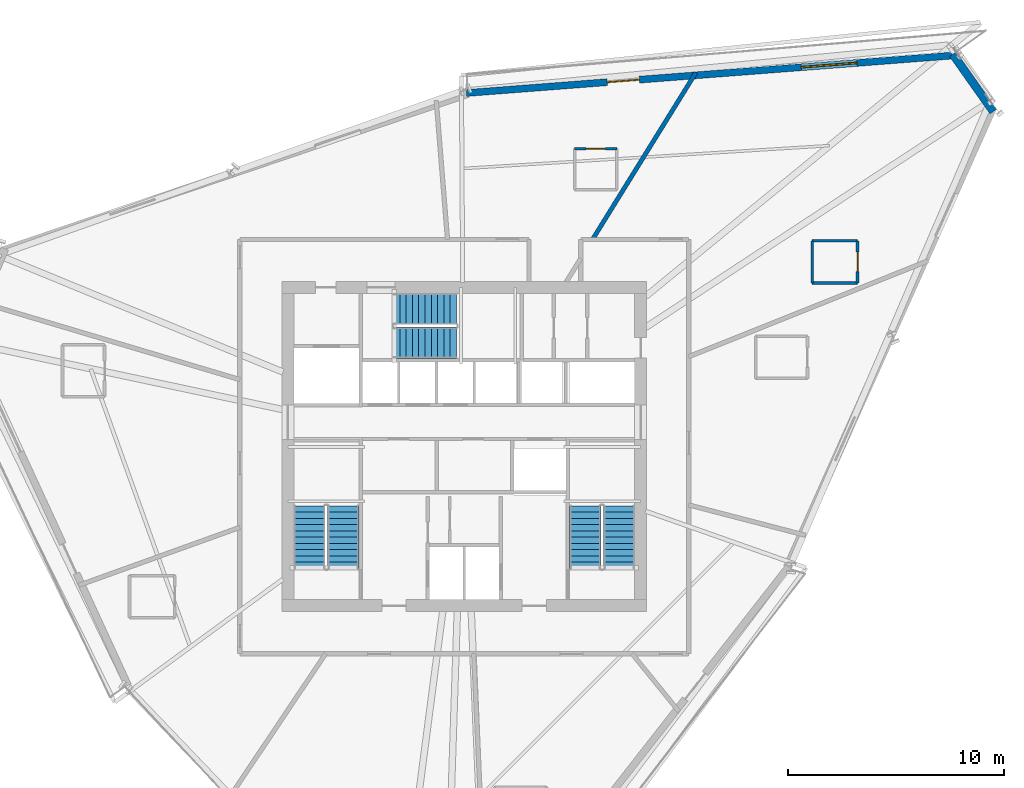
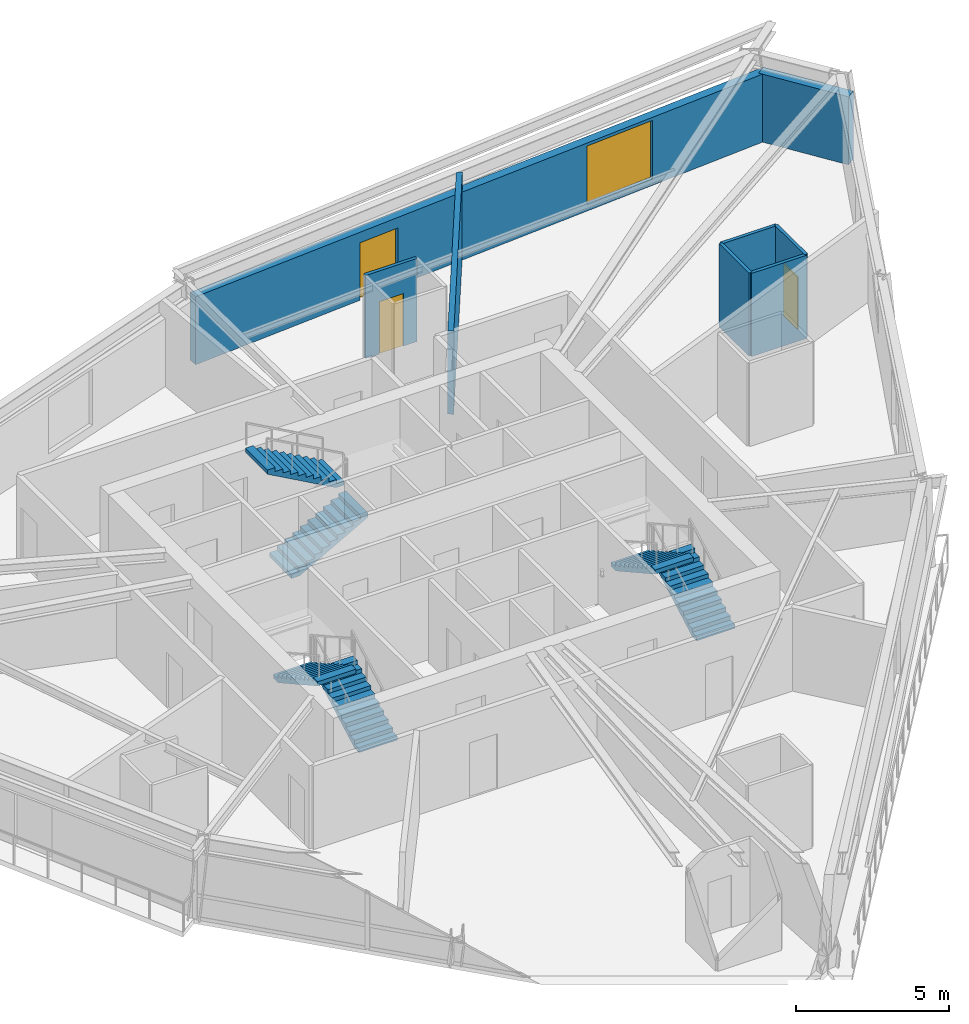
# One storey, part 11 of 14: 8 walls, 6 stair flights, 3 doors, 1 window, 4 openings, 3 elements without a shape of their own.
"""IFC4 building model written with IfcOpenShell, lengths in metres."""

from ifc_helpers import new_model, si_unit, direction, frame, frame_2d, origin, place, context, subcontext, project, spatial, polyline, rectangle, outline, extrude, source, transform, mapped, material, layer, layer_set, type_object, type_shapes, element, fill, aggregate, save


model = new_model("IFC4")

# Units and contexts
model_context = context("Model", 3, precision=1e-05, world=origin(), true_north=direction((0.0, 1.0)))
body_context = subcontext(model_context, "Body", "Model", "MODEL_VIEW")
ifc_project = project(units=[si_unit("LENGTHUNIT", "METRE"), si_unit("AREAUNIT", "SQUARE_METRE"), si_unit("VOLUMEUNIT", "CUBIC_METRE"), si_unit("PLANEANGLEUNIT", "RADIAN"), si_unit("MASSUNIT", "GRAM", prefix="KILO")], contexts=[model_context])

# Site, building, storey
site_placement = place(None, origin())
site = spatial("IfcSite", under=ifc_project, at=site_placement, CompositionType="ELEMENT")
building_placement = place(site_placement, origin())
building = spatial("IfcBuilding", under=site, at=building_placement, Name="Olszyna Solenne Hotel", CompositionType="ELEMENT")
storey_placement = place(building_placement, frame((0.0, 0.0, 178.550048828125)))
storey = spatial("IfcBuildingStorey", under=building, at=storey_placement, Name="L47", CompositionType="ELEMENT", Elevation=178.550048828125)

# Wall, openings, door, window
ifc_material_1 = material(Name="Precast concrete C45/55", Category="concrete")
ifc_layer_1 = layer(ifc_material_1, 0.320068359375, Name="Precast concrete C45/55")
ifc_layer_set_1 = layer_set([ifc_layer_1], Name="Precast concrete C45/55")
wall_type_1 = type_object("IfcWallType", Name="WL-EX320", PredefinedType="SOLIDWALL", material=ifc_layer_set_1)
wall_1_placement = place(storey_placement, frame((38.10400390625, 42.984619140625, 0.0), z_axis=(0.0, 0.0, 1.0), x_axis=(0.997043186839, 0.076843240291, 0.0)))
wall_1 = element("IfcWall", 1, at=wall_1_placement, inside=storey, type_object=wall_type_1, Name="Exterior terracotta-precast frame wall WL-EX320 EW-L47-08", PredefinedType="SOLIDWALL", context=body_context, shape_type="SweptSolid", body=[
    extrude(rectangle(XDim=22.773681640625, YDim=0.320068359375, at=frame_2d((11.38671875, 0.0))), origin(), (0.0, 0.0, 1.0), 2.721923828125),
])
opening_1_placement = place(wall_1_placement, frame((6.5380859375, 0.0, 0.0)))
opening_1 = element("IfcOpeningElement", 2, at=opening_1_placement, cuts=wall_1, Name="Opening LDG-L47-1", PredefinedType="OPENING", context=body_context, shape_type="SweptSolid", body=[
    extrude(rectangle(XDim=1.5, YDim=2.300048828125, at=frame_2d((0.75, 1.14990234375))), frame((0.0, 0.169921875, 0.0), z_axis=(0.0, -1.0, 0.0), x_axis=(1.0, 0.0, 0.0)), (0.0, 0.0, 1.0), 0.340087890625),
])
opening_2_placement = place(wall_1_placement, frame((15.552978515625, 0.0, 0.251953125)))
opening_2 = element("IfcOpeningElement", 3, at=opening_2_placement, cuts=wall_1, Name="Opening WN-L47-298", PredefinedType="OPENING", context=body_context, shape_type="SweptSolid", body=[
    extrude(rectangle(XDim=2.60009765625, YDim=2.35009765625, at=frame_2d((1.300048828125, 1.175048828125))), frame((0.0, 0.169921875, 0.0), z_axis=(0.0, -1.0, 0.0), x_axis=(1.0, 0.0, 0.0)), (0.0, 0.0, 1.0), 0.340087890625),
])
ifc_material_2 = material(Name="Anodised bronze aluminium", Category="aluminium")
door_type_1 = type_object("IfcDoorType", Name="DR-LG2", OperationType="DOUBLE_DOOR_SINGLE_SWING", PredefinedType="DOOR", material=ifc_material_2)
shared_shape_1 = source(origin(), body_context, "Body", "SweptSolid", [
    extrude(rectangle(XDim=1.5, YDim=2.300048828125, at=frame_2d((0.75, 1.14990234375))), frame((0.0, 0.02490234375, 0.0), z_axis=(0.0, -1.0, 0.0), x_axis=(1.0, 0.0, 0.0)), (0.0, 0.0, 1.0), 0.050048828125),
])
type_shapes(door_type_1, [shared_shape_1])
door_1_placement = place(opening_1_placement, origin())
door_1 = element("IfcDoor", 4, at=door_1_placement, inside=storey, type_object=door_type_1, Name="Exterior loggia balcony door DR-LG2 LDG-L47-1", OperationType="DOUBLE_DOOR_SINGLE_SWING", OverallHeight=2.300048828125, OverallWidth=1.5, PredefinedType="DOOR", context=body_context, shape_type="MappedRepresentation", body=[
    mapped(shared_shape_1, transform((0.0, 0.0, 0.0), x_axis=(1.0, 0.0, 0.0), y_axis=(0.0, 1.0, 0.0), z_axis=(0.0, 0.0, 1.0), scale=1.0)),
])
fill(opening_1, door_1)
ifc_material_3 = material(Name="Low-E triple glazing", Category="glass")
window_type = type_object("IfcWindowType", Name="WN-ST1", PartitioningType="SINGLE_PANEL", PredefinedType="WINDOW", material=ifc_material_3)
shared_shape_2 = source(origin(), body_context, "Body", "SweptSolid", [
    extrude(rectangle(XDim=2.60009765625, YDim=2.35009765625, at=frame_2d((1.300048828125, 1.175048828125))), frame((0.0, 0.030029296875, 0.0), z_axis=(0.0, -1.0, 0.0), x_axis=(1.0, 0.0, 0.0)), (0.0, 0.0, 1.0), 0.06005859375),
])
type_shapes(window_type, [shared_shape_2])
window_placement = place(opening_2_placement, origin())
window = element("IfcWindow", 5, at=window_placement, inside=storey, type_object=window_type, Name="Loggia room window WN-ST1 WN-L47-298", OverallHeight=2.35009765625, OverallWidth=2.60009765625, PartitioningType="SINGLE_PANEL", PredefinedType="WINDOW", context=body_context, shape_type="MappedRepresentation", body=[
    mapped(shared_shape_2, transform((0.0, 0.0, 0.0), x_axis=(1.0, 0.0, 0.0), y_axis=(0.0, 1.0, 0.0), z_axis=(0.0, 0.0, 1.0), scale=1.0)),
])
fill(opening_2, window)

# Wall
ifc_material_4 = material(Name="Terracotta cladding on precast concrete C45/55", Category="masonry")
ifc_layer_2 = layer(ifc_material_4, 0.3798828125, Name="Terracotta cladding on precast concrete C45/55")
ifc_layer_set_2 = layer_set([ifc_layer_2], Name="Terracotta cladding on precast concrete C45/55")
wall_type_2 = type_object("IfcWallType", Name="WL-EX380", PredefinedType="SOLIDWALL", material=ifc_layer_set_2)
wall_2_placement = place(storey_placement, frame((60.642822265625, 44.7841796875, 0.0), z_axis=(0.0, 0.0, 1.0), x_axis=(0.577204748186, -0.816599460367, 0.0)))
element("IfcWall", 6, at=wall_2_placement, inside=storey, type_object=wall_type_2, Name="Exterior terracotta-precast frame wall WL-EX380 EW-L47-09", PredefinedType="SOLIDWALL", context=body_context, shape_type="SweptSolid", body=[
    extrude(rectangle(XDim=3.252197265625, YDim=0.3798828125, at=frame_2d((1.6259765625, 0.0))), origin(), (0.0, 0.0, 1.0), 2.721923828125),
])

# Wall, opening, door
ifc_material_5 = material(Name="Acoustic gypsum partition", Category="gypsum")
ifc_layer_3 = layer(ifc_material_5, 0.125, Name="Acoustic gypsum partition")
ifc_layer_set_3 = layer_set([ifc_layer_3], Name="Acoustic gypsum partition")
wall_type_3 = type_object("IfcWallType", Name="WL-PT125", PredefinedType="PARTITIONING", material=ifc_layer_set_3)
wall_3_placement = place(storey_placement, frame((56.22705078125, 34.181884765625, 0.0), z_axis=(0.0, 0.0, 1.0), x_axis=(0.0, 1.0, 0.0)))
wall_3 = element("IfcWall", 7, at=wall_3_placement, inside=storey, type_object=wall_type_3, Name="Interior acoustic partition WL-PT125 PW-L47-2639", PredefinedType="PARTITIONING", context=body_context, shape_type="SweptSolid", body=[
    extrude(rectangle(XDim=1.9501953125, YDim=0.125, at=frame_2d((0.97509765625, 0.0))), origin(), (0.0, 0.0, 1.0), 3.329833984375),
])
opening_3_placement = place(wall_3_placement, frame((0.52490234375, 0.0, 0.0)))
opening_3 = element("IfcOpeningElement", 8, at=opening_3_placement, cuts=wall_3, Name="Opening DR-L47-0635", PredefinedType="OPENING", context=body_context, shape_type="SweptSolid", body=[
    extrude(rectangle(XDim=0.89990234375, YDim=2.10009765625, at=frame_2d((0.449951171875, 1.050048828125))), frame((0.0, 0.072509765625, 0.0), z_axis=(0.0, -1.0, 0.0), x_axis=(1.0, 0.0, 0.0)), (0.0, 0.0, 1.0), 0.14501953125),
])
ifc_material_6 = material(Name="Timber hardwood", Category="wood")
door_type_2 = type_object("IfcDoorType", Name="DR-WC1", OperationType="NOTDEFINED", PredefinedType="DOOR", material=ifc_material_6)
shared_shape_3 = source(origin(), body_context, "Body", "SweptSolid", [
    extrude(rectangle(XDim=0.89990234375, YDim=2.10009765625, at=frame_2d((0.449951171875, 1.050048828125))), frame((0.0, 0.02490234375, 0.0), z_axis=(0.0, -1.0, 0.0), x_axis=(1.0, 0.0, 0.0)), (0.0, 0.0, 1.0), 0.050048828125),
])
type_shapes(door_type_2, [shared_shape_3])
door_2_placement = place(opening_3_placement, origin())
door_2 = element("IfcDoor", 9, at=door_2_placement, inside=storey, type_object=door_type_2, Name="En-Suite Bathroom Door DR-L47-0635", OperationType="SINGLE_SWING_RIGHT", OverallHeight=2.10009765625, OverallWidth=0.89990234375, PredefinedType="DOOR", context=body_context, shape_type="MappedRepresentation", body=[
    mapped(shared_shape_3, transform((0.0, 0.0, 0.0), x_axis=(1.0, 0.0, 0.0), y_axis=(0.0, 1.0, 0.0), z_axis=(0.0, 0.0, 1.0), scale=1.0)),
])
fill(opening_3, door_2)

# Walls
wall_4_placement = place(storey_placement, frame((56.22705078125, 36.132080078125, 0.0), z_axis=(0.0, 0.0, 1.0), x_axis=(-1.0, 0.0, 0.0)))
element("IfcWall", 10, at=wall_4_placement, inside=storey, type_object=wall_type_3, Name="Interior acoustic partition WL-PT125 PW-L47-2640", PredefinedType="PARTITIONING", context=body_context, shape_type="SweptSolid", body=[
    extrude(rectangle(XDim=2.10009765625, YDim=0.125, at=frame_2d((1.050048828125, 0.0))), origin(), (0.0, 0.0, 1.0), 3.329833984375),
])
wall_5_placement = place(storey_placement, frame((54.126953125, 36.132080078125, 0.0), z_axis=(0.0, 0.0, 1.0), x_axis=(0.0, -1.0, 0.0)))
element("IfcWall", 11, at=wall_5_placement, inside=storey, type_object=wall_type_3, Name="Interior acoustic partition WL-PT125 PW-L47-2641", PredefinedType="PARTITIONING", context=body_context, shape_type="SweptSolid", body=[
    extrude(rectangle(XDim=1.9501953125, YDim=0.125, at=frame_2d((0.97509765625, 0.0))), origin(), (0.0, 0.0, 1.0), 3.329833984375),
])
wall_6_placement = place(storey_placement, frame((54.126953125, 34.181884765625, 0.0), z_axis=(0.0, 0.0, 1.0), x_axis=(1.0, 0.0, 0.0)))
element("IfcWall", 12, at=wall_6_placement, inside=storey, type_object=wall_type_3, Name="Interior acoustic partition WL-PT125 PW-L47-2642", PredefinedType="PARTITIONING", context=body_context, shape_type="SweptSolid", body=[
    extrude(rectangle(XDim=2.10009765625, YDim=0.125, at=frame_2d((1.050048828125, 0.0))), origin(), (0.0, 0.0, 1.0), 3.329833984375),
])

# Wall, opening, door
wall_7_placement = place(storey_placement, frame((45.069091796875, 40.407958984375, 0.0), z_axis=(0.0, 0.0, 1.0), x_axis=(-1.0, 0.0, 0.0)))
wall_7 = element("IfcWall", 13, at=wall_7_placement, inside=storey, type_object=wall_type_3, Name="Interior acoustic partition WL-PT125 PW-L47-2644", PredefinedType="PARTITIONING", context=body_context, shape_type="SweptSolid", body=[
    extrude(rectangle(XDim=1.9501953125, YDim=0.125, at=frame_2d((0.97509765625, 0.0))), origin(), (0.0, 0.0, 1.0), 3.329833984375),
])
opening_4_placement = place(wall_7_placement, frame((0.52490234375, 0.0, 0.0)))
opening_4 = element("IfcOpeningElement", 14, at=opening_4_placement, cuts=wall_7, Name="Opening DR-L47-0636", PredefinedType="OPENING", context=body_context, shape_type="SweptSolid", body=[
    extrude(rectangle(XDim=0.89990234375, YDim=2.10009765625, at=frame_2d((0.449951171875, 1.050048828125))), frame((0.0, 0.072509765625, 0.0), z_axis=(0.0, -1.0, 0.0), x_axis=(1.0, 0.0, 0.0)), (0.0, 0.0, 1.0), 0.14501953125),
])
door_3_placement = place(opening_4_placement, origin())
door_3 = element("IfcDoor", 15, at=door_3_placement, inside=storey, type_object=door_type_2, Name="En-Suite Bathroom Door DR-L47-0636", OperationType="SINGLE_SWING_LEFT", OverallHeight=2.10009765625, OverallWidth=0.89990234375, PredefinedType="DOOR", context=body_context, shape_type="MappedRepresentation", body=[
    mapped(shared_shape_3, transform((0.0, 0.0, 0.0), x_axis=(1.0, 0.0, 0.0), y_axis=(0.0, 1.0, 0.0), z_axis=(0.0, 0.0, 1.0), scale=1.0)),
])
fill(opening_4, door_3)

# Wall
ifc_layer_4 = layer(ifc_material_5, 0.199951171875, Name="Acoustic gypsum partition")
ifc_layer_set_4 = layer_set([ifc_layer_4], Name="Acoustic gypsum partition")
wall_type_4 = type_object("IfcWallType", Name="WL-PT200", PredefinedType="PARTITIONING", material=ifc_layer_set_4)
wall_8_placement = place(storey_placement, frame((43.946044921875, 36.199951171875, 0.0), z_axis=(0.0, 0.0, 1.0), x_axis=(0.526559690384, 0.850138160808, 0.0)))
element("IfcWall", 16, at=wall_8_placement, inside=storey, type_object=wall_type_4, Name="Interior acoustic partition WL-PT200 PW-L47-2620", PredefinedType="PARTITIONING", context=body_context, shape_type="SweptSolid", body=[
    extrude(rectangle(XDim=9.097900390625, YDim=0.199951171875, at=frame_2d((4.548828125, 0.0))), origin(), (0.0, 0.0, 1.0), 3.329833984375),
])

# Stair, stair flights
ifc_material_7 = material(Name="Concrete C40/50", Category="concrete")
stair_type = type_object("IfcStairType", Name="STR-C1", PredefinedType="TWO_QUARTER_WINDING_STAIR", material=ifc_material_7)
stair_1_placement = place(storey_placement, origin())
stair_1 = element("IfcStair", 17, at=stair_1_placement, inside=storey, type_object=stair_type, Name="L47 ST1", PredefinedType="TWO_QUARTER_WINDING_STAIR")
stair_flight_type = type_object("IfcStairFlightType", Name="FLT-C1", PredefinedType="STRAIGHT", material=ifc_material_7)
stair_flight_1_placement = place(storey_placement, frame((32.39501953125, 20.949951171875, 0.0), z_axis=(0.0, 0.0, 1.0), x_axis=(0.0, 1.0, 0.0)))
stair_flight_1 = element("IfcStairFlight", 18, at=stair_flight_1_placement, type_object=stair_flight_type, Name="ST1 flight 1", NumberOfRisers=11, NumberOfTreads=10, PredefinedType="STRAIGHT", RiserHeight=0.161363636, TreadLength=0.29, context=body_context, shape_type="SweptSolid", body=[
    extrude(outline(polyline([(0.0, 0.0), (0.0, 0.161376953125), (0.2900390625, 0.161376953125), (0.2900390625, 0.32275390625), (0.580078125, 0.32275390625), (0.580078125, 0.484130859375), (0.8701171875, 0.484130859375), (0.8701171875, 0.6455078125), (1.159912109375, 0.6455078125), (1.159912109375, 0.806884765625), (1.449951171875, 0.806884765625), (1.449951171875, 0.96826171875), (1.739990234375, 0.96826171875), (1.739990234375, 1.129638671875), (2.030029296875, 1.129638671875), (2.030029296875, 1.291015625), (2.320068359375, 1.291015625), (2.320068359375, 1.452392578125), (2.610107421875, 1.452392578125), (2.610107421875, 1.613525390625), (2.89990234375, 1.613525390625), (2.89990234375, 1.77490234375), (2.89990234375, 1.442138671875), (0.308349609375, 0.0), (0.0, 0.0)])), frame((0.0, 0.72509765625, 0.0), z_axis=(0.0, -1.0, 0.0), x_axis=(1.0, 0.0, 0.0)), (0.0, 0.0, 1.0), 1.449951171875),
])
stair_flight_2_placement = place(storey_placement, frame((30.824951171875, 23.85009765625, 1.77490234375), z_axis=(0.0, 0.0, 1.0), x_axis=(0.0, -1.0, 0.0)))
stair_flight_2 = element("IfcStairFlight", 19, at=stair_flight_2_placement, type_object=stair_flight_type, Name="ST1 flight 2", NumberOfRisers=11, NumberOfTreads=10, PredefinedType="STRAIGHT", RiserHeight=0.161363636, TreadLength=0.29, context=body_context, shape_type="SweptSolid", body=[
    extrude(outline(polyline([(0.0, 0.0), (0.0, 0.161376953125), (0.2900390625, 0.161376953125), (0.2900390625, 0.32275390625), (0.580078125, 0.32275390625), (0.580078125, 0.484130859375), (0.8701171875, 0.484130859375), (0.8701171875, 0.6455078125), (1.159912109375, 0.6455078125), (1.159912109375, 0.806884765625), (1.449951171875, 0.806884765625), (1.449951171875, 0.96826171875), (1.739990234375, 0.96826171875), (1.739990234375, 1.129638671875), (2.030029296875, 1.129638671875), (2.030029296875, 1.291015625), (2.320068359375, 1.291015625), (2.320068359375, 1.452392578125), (2.610107421875, 1.452392578125), (2.610107421875, 1.613525390625), (2.89990234375, 1.613525390625), (2.89990234375, 1.77490234375), (2.89990234375, 1.442138671875), (0.308349609375, 0.0), (0.0, 0.0)])), frame((0.0, 0.72509765625, 0.0), z_axis=(0.0, -1.0, 0.0), x_axis=(1.0, 0.0, 0.0)), (0.0, 0.0, 1.0), 1.449951171875),
])
aggregate(stair_1, [stair_flight_1, stair_flight_2])

stair_2_placement = place(storey_placement, origin())
stair_2 = element("IfcStair", 20, at=stair_2_placement, inside=storey, type_object=stair_type, Name="L47 ST2", PredefinedType="TWO_QUARTER_WINDING_STAIR")
stair_flight_3_placement = place(storey_placement, frame((45.175048828125, 20.949951171875, 0.0), z_axis=(0.0, 0.0, 1.0), x_axis=(0.0, 1.0, 0.0)))
stair_flight_3 = element("IfcStairFlight", 21, at=stair_flight_3_placement, type_object=stair_flight_type, Name="ST2 flight 1", NumberOfRisers=11, NumberOfTreads=10, PredefinedType="STRAIGHT", RiserHeight=0.161363636, TreadLength=0.29, context=body_context, shape_type="SweptSolid", body=[
    extrude(outline(polyline([(0.0, 0.0), (0.0, 0.161376953125), (0.2900390625, 0.161376953125), (0.2900390625, 0.32275390625), (0.580078125, 0.32275390625), (0.580078125, 0.484130859375), (0.8701171875, 0.484130859375), (0.8701171875, 0.6455078125), (1.159912109375, 0.6455078125), (1.159912109375, 0.806884765625), (1.449951171875, 0.806884765625), (1.449951171875, 0.96826171875), (1.739990234375, 0.96826171875), (1.739990234375, 1.129638671875), (2.030029296875, 1.129638671875), (2.030029296875, 1.291015625), (2.320068359375, 1.291015625), (2.320068359375, 1.452392578125), (2.610107421875, 1.452392578125), (2.610107421875, 1.613525390625), (2.89990234375, 1.613525390625), (2.89990234375, 1.77490234375), (2.89990234375, 1.442138671875), (0.308349609375, 0.0), (0.0, 0.0)])), frame((0.0, 0.72509765625, 0.0), z_axis=(0.0, -1.0, 0.0), x_axis=(1.0, 0.0, 0.0)), (0.0, 0.0, 1.0), 1.449951171875),
])
stair_flight_4_placement = place(storey_placement, frame((43.60498046875, 23.85009765625, 1.77490234375), z_axis=(0.0, 0.0, 1.0), x_axis=(0.0, -1.0, 0.0)))
stair_flight_4 = element("IfcStairFlight", 22, at=stair_flight_4_placement, type_object=stair_flight_type, Name="ST2 flight 2", NumberOfRisers=11, NumberOfTreads=10, PredefinedType="STRAIGHT", RiserHeight=0.161363636, TreadLength=0.29, context=body_context, shape_type="SweptSolid", body=[
    extrude(outline(polyline([(0.0, 0.0), (0.0, 0.161376953125), (0.2900390625, 0.161376953125), (0.2900390625, 0.32275390625), (0.580078125, 0.32275390625), (0.580078125, 0.484130859375), (0.8701171875, 0.484130859375), (0.8701171875, 0.6455078125), (1.159912109375, 0.6455078125), (1.159912109375, 0.806884765625), (1.449951171875, 0.806884765625), (1.449951171875, 0.96826171875), (1.739990234375, 0.96826171875), (1.739990234375, 1.129638671875), (2.030029296875, 1.129638671875), (2.030029296875, 1.291015625), (2.320068359375, 1.291015625), (2.320068359375, 1.452392578125), (2.610107421875, 1.452392578125), (2.610107421875, 1.613525390625), (2.89990234375, 1.613525390625), (2.89990234375, 1.77490234375), (2.89990234375, 1.442138671875), (0.308349609375, 0.0), (0.0, 0.0)])), frame((0.0, 0.72509765625, 0.0), z_axis=(0.0, -1.0, 0.0), x_axis=(1.0, 0.0, 0.0)), (0.0, 0.0, 1.0), 1.449951171875),
])
aggregate(stair_2, [stair_flight_3, stair_flight_4])

stair_3_placement = place(storey_placement, origin())
stair_3 = element("IfcStair", 23, at=stair_3_placement, inside=storey, type_object=stair_type, Name="L47 ST3", PredefinedType="TWO_QUARTER_WINDING_STAIR")
stair_flight_5_placement = place(storey_placement, frame((34.72998046875, 31.405029296875, 0.0), z_axis=(0.0, 0.0, 1.0), x_axis=(1.0, 0.0, 0.0)))
stair_flight_5 = element("IfcStairFlight", 24, at=stair_flight_5_placement, type_object=stair_flight_type, Name="ST3 flight 1", NumberOfRisers=11, NumberOfTreads=10, PredefinedType="STRAIGHT", RiserHeight=0.161363636, TreadLength=0.29, context=body_context, shape_type="SweptSolid", body=[
    extrude(outline(polyline([(0.0, 0.0), (0.0, 0.161376953125), (0.2900390625, 0.161376953125), (0.2900390625, 0.32275390625), (0.580078125, 0.32275390625), (0.580078125, 0.484130859375), (0.8701171875, 0.484130859375), (0.8701171875, 0.6455078125), (1.159912109375, 0.6455078125), (1.159912109375, 0.806884765625), (1.449951171875, 0.806884765625), (1.449951171875, 0.96826171875), (1.739990234375, 0.96826171875), (1.739990234375, 1.129638671875), (2.030029296875, 1.129638671875), (2.030029296875, 1.291015625), (2.320068359375, 1.291015625), (2.320068359375, 1.452392578125), (2.610107421875, 1.452392578125), (2.610107421875, 1.613525390625), (2.89990234375, 1.613525390625), (2.89990234375, 1.77490234375), (2.89990234375, 1.442138671875), (0.308349609375, 0.0), (0.0, 0.0)])), frame((0.0, 0.72509765625, 0.0), z_axis=(0.0, -1.0, 0.0), x_axis=(1.0, 0.0, 0.0)), (0.0, 0.0, 1.0), 1.449951171875),
])
stair_flight_6_placement = place(storey_placement, frame((37.6298828125, 32.97509765625, 1.77490234375), z_axis=(0.0, 0.0, 1.0), x_axis=(-1.0, 0.0, 0.0)))
stair_flight_6 = element("IfcStairFlight", 25, at=stair_flight_6_placement, type_object=stair_flight_type, Name="ST3 flight 2", NumberOfRisers=11, NumberOfTreads=10, PredefinedType="STRAIGHT", RiserHeight=0.161363636, TreadLength=0.29, context=body_context, shape_type="SweptSolid", body=[
    extrude(outline(polyline([(0.0, 0.0), (0.0, 0.161376953125), (0.2900390625, 0.161376953125), (0.2900390625, 0.32275390625), (0.580078125, 0.32275390625), (0.580078125, 0.484130859375), (0.8701171875, 0.484130859375), (0.8701171875, 0.6455078125), (1.159912109375, 0.6455078125), (1.159912109375, 0.806884765625), (1.449951171875, 0.806884765625), (1.449951171875, 0.96826171875), (1.739990234375, 0.96826171875), (1.739990234375, 1.129638671875), (2.030029296875, 1.129638671875), (2.030029296875, 1.291015625), (2.320068359375, 1.291015625), (2.320068359375, 1.452392578125), (2.610107421875, 1.452392578125), (2.610107421875, 1.613525390625), (2.89990234375, 1.613525390625), (2.89990234375, 1.77490234375), (2.89990234375, 1.442138671875), (0.308349609375, 0.0), (0.0, 0.0)])), frame((0.0, 0.72509765625, 0.0), z_axis=(0.0, -1.0, 0.0), x_axis=(1.0, 0.0, 0.0)), (0.0, 0.0, 1.0), 1.449951171875),
])
aggregate(stair_3, [stair_flight_5, stair_flight_6])

save(model, "model.ifc")
